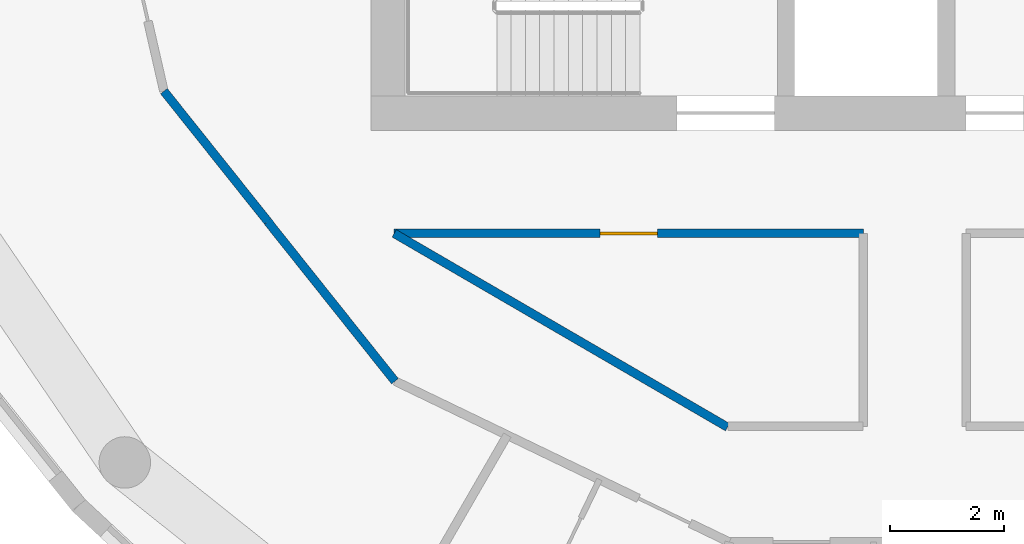
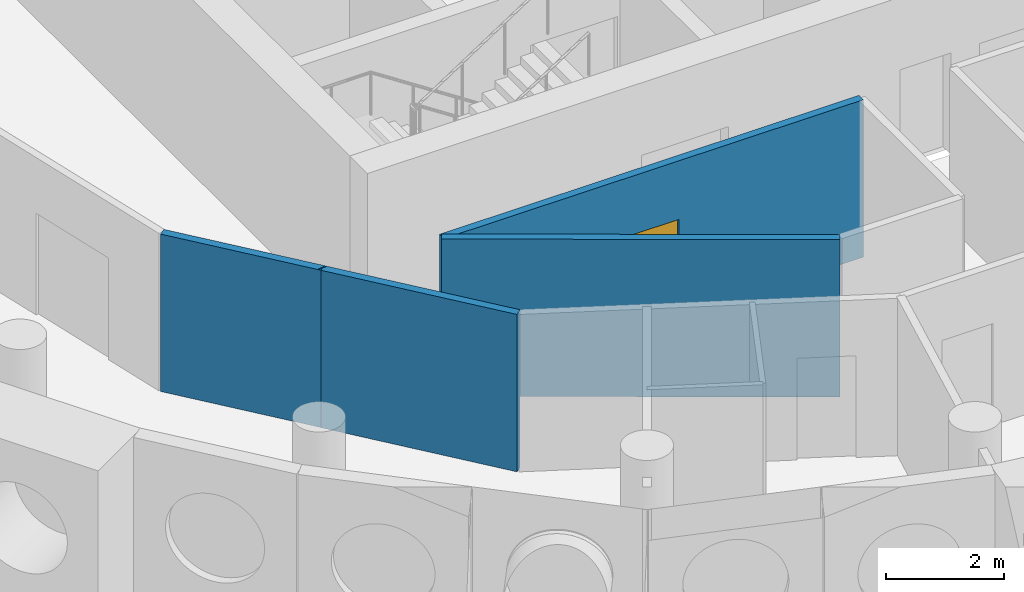
# One storey, part 3 of 13: 5 walls, 1 door, 1 opening.
"""IFC4 building model written with IfcOpenShell, lengths in metres."""

import ifcopenshell
import ifcopenshell.guid

model = None  # the IFC model being written
_history = None  # IfcOwnerHistory: only IFC2X3 demands one
_inside = {}  # id of a spatial element -> (the spatial element, [elements in it])
_under = {}  # id of a project, library or spatial element -> (it, [spatial elements below it])
_declared = {}  # id of a project -> (the project, [libraries it declares])
_typed = {}  # id of a type object -> (the type object, [elements of that type])
_made_of = {}  # id of a material, layer set ... -> (it, [elements and type objects made of it])


def new_model(schema):
    """Start an empty IFC model of exactly this schema.

    Asked for "IFC4X3", IfcOpenShell would pick the latest addendum, in which some entities
    have other attributes; the version numbers below select the first issue.
    IFC2X3 requires an IfcOwnerHistory on every rooted entity: one is made here for all.
    """
    global model, _history
    if schema == "IFC4X3":
        model = ifcopenshell.file(schema_version=(4, 3, 0, 0))
    else:
        model = ifcopenshell.file(schema=schema)
    _inside.clear()
    _under.clear()
    _declared.clear()
    _typed.clear()
    _made_of.clear()
    _history = None
    if model.schema == "IFC2X3":
        org = make("IfcOrganization", Name="unknown")
        user = make(
            "IfcPersonAndOrganization",
            ThePerson=make("IfcPerson", FamilyName="unknown"),
            TheOrganization=org,
        )
        app = make(
            "IfcApplication",
            ApplicationDeveloper=org,
            Version="unknown",
            ApplicationFullName="unknown",
            ApplicationIdentifier="unknown",
        )
        _history = make(
            "IfcOwnerHistory",
            OwningUser=user,
            OwningApplication=app,
            ChangeAction="ADDED",
            CreationDate=0,
        )
    return model


def make(cls, **values):
    """One entity of the class cls with the attributes given. An attribute that is None is left unset."""
    return model.create_entity(
        cls, **{name: value for name, value in values.items() if value is not None}
    )


def rooted(cls, **values):
    """An entity with a GlobalId (a new one), such as an element, a storey or a relation."""
    return make(cls, GlobalId=ifcopenshell.guid.new(), OwnerHistory=_history, **values)


def si_unit(unit_type, name, prefix=None):
    """IfcSIUnit, for example si_unit("LENGTHUNIT", "METRE", prefix="MILLI")."""
    return make("IfcSIUnit", UnitType=unit_type, Prefix=prefix, Name=name)


def assignment(units):
    """IfcUnitAssignment: the units of a project."""
    return None if units is None else make("IfcUnitAssignment", Units=units)


def point(xyz):
    """IfcCartesianPoint."""
    return None if xyz is None else make("IfcCartesianPoint", Coordinates=xyz)


def direction(xyz):
    """IfcDirection."""
    return None if xyz is None else make("IfcDirection", DirectionRatios=xyz)


def frame(location, z_axis=None, x_axis=None):
    """IfcAxis2Placement3D, a coordinate frame: its origin and axes. An axis left out is left unset."""
    return make(
        "IfcAxis2Placement3D",
        Location=point(location),
        Axis=direction(z_axis),
        RefDirection=direction(x_axis),
    )


def frame_2d(location, x_axis=None):
    """IfcAxis2Placement2D, a coordinate frame in the plane: its origin and x axis."""
    return make(
        "IfcAxis2Placement2D", Location=point(location), RefDirection=direction(x_axis)
    )


def origin():
    """The frame at (0, 0, 0) with its axes left unset."""
    return frame((0.0, 0.0, 0.0))


def place(relative_to, where):
    """IfcLocalPlacement: puts the frame where relative to a parent placement (None: the world)."""
    return make(
        "IfcLocalPlacement", PlacementRelTo=relative_to, RelativePlacement=where
    )


def context(
    kind, dimensions, precision=None, world=None, true_north=None, identifier=None
):
    """IfcGeometricRepresentationContext, for example the 3D "Model" context."""
    return make(
        "IfcGeometricRepresentationContext",
        ContextIdentifier=identifier,
        ContextType=kind,
        CoordinateSpaceDimension=dimensions,
        Precision=precision,
        WorldCoordinateSystem=world,
        TrueNorth=true_north,
    )


def subcontext(parent, identifier, kind, view, scale=None):
    """IfcGeometricRepresentationSubContext, for example "Body" below "Model"."""
    return make(
        "IfcGeometricRepresentationSubContext",
        ContextIdentifier=identifier,
        ContextType=kind,
        ParentContext=parent,
        TargetScale=scale,
        TargetView=view,
    )


def project(units=None, contexts=None):
    """IfcProject with its units and contexts."""
    return rooted(
        "IfcProject",
        Name="project",
        RepresentationContexts=contexts,
        UnitsInContext=assignment(units),
    )


def spatial(cls, under=None, at=None, **own):
    """A site, building, storey or space (cls), placed at a placement, below another one or the project."""
    s = rooted(cls, ObjectPlacement=at, **own)
    if under is not None:
        _under.setdefault(under.id(), (under, []))[1].append(s)
    return s


def profile(cls, at=None, kind="AREA", **sizes):
    """A parametric profile (cls). Its sizes go by their IFC names, for example OverallWidth=200.0."""
    return make(cls, ProfileType=kind, Position=at, **sizes)


def rectangle(**sizes):
    """IfcRectangleProfileDef."""
    return profile("IfcRectangleProfileDef", **sizes)


def extrude(swept, where, along, depth):
    """IfcExtrudedAreaSolid: the profile swept, set in the frame where, extruded along a direction by depth."""
    return make(
        "IfcExtrudedAreaSolid",
        SweptArea=swept,
        Position=where,
        ExtrudedDirection=direction(along),
        Depth=depth,
    )


def shape(context_of_items, identifier, shape_type, items):
    """IfcShapeRepresentation: the items that make up one representation, for example the "Body"."""
    return make(
        "IfcShapeRepresentation",
        ContextOfItems=context_of_items,
        RepresentationIdentifier=identifier,
        RepresentationType=shape_type,
        Items=items,
    )


def material(Name=None, Category=None):
    """IfcMaterial."""
    return make("IfcMaterial", Name=Name, Category=Category)


def layer(
    of_material, thickness, ventilated=None, Name=None, Category=None, Priority=None
):
    """IfcMaterialLayer: one layer of a wall or slab, of a material (None: an air gap)."""
    return make(
        "IfcMaterialLayer",
        Material=of_material,
        LayerThickness=thickness,
        IsVentilated=ventilated,
        Name=Name,
        Category=Category,
        Priority=Priority,
    )


def layer_set(layers, Name=None):
    """IfcMaterialLayerSet."""
    return make("IfcMaterialLayerSet", MaterialLayers=layers, LayerSetName=Name)


def made_of(thing, what):
    """Note that an element or type object is made of a material, layer set ...; save() writes the relation."""
    if what is not None:
        _made_of.setdefault(what.id(), (what, []))[1].append(thing)
    return thing


def type_object(cls, material=None, **own):
    """A type object (cls), such as IfcWallType, which elements share."""
    return made_of(rooted(cls, **own), material)


def element(
    cls,
    number,
    at=None,
    inside=None,
    cuts=None,
    type_object=None,
    material=None,
    context=None,
    identifier="Body",
    shape_type=None,
    held_by="IfcProductDefinitionShape",
    body=None,
    shapes=None,
    **own,
):
    """One element of the class cls, such as IfcWall. Its Tag is "e" and its number.

    at: its placement. inside: the storey or other place that contains it. cuts: it is an
    opening in that element (IfcRelVoidsElement). A single representation is given by context,
    identifier, shape_type and body (its items); several are given by shapes. held_by: the class
    of the entity that holds the representations. save() writes the other relations.
    """
    e = rooted(cls, Tag="e%d" % number, ObjectPlacement=at, **own)
    if body is not None:
        shapes = [shape(context, identifier, shape_type, body)]
    if shapes is not None:
        e.Representation = make(held_by, Representations=shapes)
    if inside is not None:
        _inside.setdefault(inside.id(), (inside, []))[1].append(e)
    if cuts is not None:
        rooted(
            "IfcRelVoidsElement", RelatingBuildingElement=cuts, RelatedOpeningElement=e
        )
    if type_object is not None:
        _typed.setdefault(type_object.id(), (type_object, []))[1].append(e)
    return made_of(e, material)


def fill(opening, filler):
    """IfcRelFillsElement: the door or window that sits in an opening."""
    return rooted(
        "IfcRelFillsElement",
        RelatingOpeningElement=opening,
        RelatedBuildingElement=filler,
    )


def aggregate(whole, parts):
    """IfcRelAggregates: a whole, such as a stair, and the parts it consists of."""
    return rooted("IfcRelAggregates", RelatingObject=whole, RelatedObjects=parts)


def save(model, path):
    """Write the relations noted so far, then the file.

    IfcRelAggregates (storeys below a building ...), IfcRelContainedInSpatialStructure (elements
    in a storey), IfcRelDefinesByType, IfcRelAssociatesMaterial and IfcRelDeclares: one each for
    every whole, place, type object, material and project.
    """
    for whole, parts in _under.values():
        aggregate(whole, parts)
    for where, things in _inside.values():
        rooted(
            "IfcRelContainedInSpatialStructure",
            RelatedElements=things,
            RelatingStructure=where,
        )
    for kind, things in _typed.values():
        rooted("IfcRelDefinesByType", RelatedObjects=things, RelatingType=kind)
    for what, things in _made_of.values():
        rooted("IfcRelAssociatesMaterial", RelatedObjects=things, RelatingMaterial=what)
    for by, libraries in _declared.values():
        rooted("IfcRelDeclares", RelatingContext=by, RelatedDefinitions=libraries)
    model.write(path)


model = new_model("IFC4")

# Units and contexts
model_context = context("Model", 3, precision=1e-05, world=origin(), true_north=direction((0.0, 1.0)))
body_context = subcontext(model_context, "Body", "Model", "MODEL_VIEW")
ifc_project = project(units=[si_unit("LENGTHUNIT", "METRE"), si_unit("AREAUNIT", "SQUARE_METRE"), si_unit("VOLUMEUNIT", "CUBIC_METRE"), si_unit("PLANEANGLEUNIT", "RADIAN"), si_unit("MASSUNIT", "GRAM", prefix="KILO")], contexts=[model_context])

# Site, building, storey
site_placement = place(None, origin())
site = spatial("IfcSite", under=ifc_project, at=site_placement, CompositionType="ELEMENT")
building_placement = place(site_placement, origin())
building = spatial("IfcBuilding", under=site, at=building_placement, Name="Tracery Tower", CompositionType="ELEMENT")
storey_placement = place(building_placement, frame((0.0, 0.0, 316.199951171875)))
storey = spatial("IfcBuildingStorey", under=building, at=storey_placement, Name="L82", CompositionType="ELEMENT", Elevation=316.199951171875)

# Wall, opening, door
ifc_material_1 = material(Name="Plasterboard on steel studs", Category="steel")
ifc_layer = layer(ifc_material_1, 0.14990234375)
ifc_layer_set = layer_set([ifc_layer], Name="Partition 150 corridor wall")
wall_type = type_object("IfcWallType", Name="Partition 150 corridor wall", PredefinedType="PARTITIONING", material=ifc_layer_set)
wall_1_placement = place(storey_placement, frame((-9.092041015625, -8.800048828125, 0.0), z_axis=(0.0, 0.0, 1.0), x_axis=(1.0, 0.0, 0.0)))
wall_1 = element("IfcWall", 1, at=wall_1_placement, inside=storey, type_object=wall_type, Name="Corridor wall RC9-010", PredefinedType="PARTITIONING", context=body_context, shape_type="SweptSolid", body=[
    extrude(rectangle(XDim=8.196044921875, YDim=0.14990234375, at=frame_2d((4.09814453125, 0.0))), origin(), (0.0, 0.0, 1.0), 3.25),
])
opening_placement = place(wall_1_placement, frame((3.597900390625, 0.0, 0.0)))
opening = element("IfcOpeningElement", 2, at=opening_placement, cuts=wall_1, Name="Opening RC9-02", PredefinedType="OPENING", context=body_context, shape_type="SweptSolid", body=[
    extrude(rectangle(XDim=1.0, YDim=2.0400390625, at=frame_2d((0.5, 1.02001953125))), frame((0.0, 0.074951171875, 0.0), z_axis=(0.0, -1.0, 0.0), x_axis=(1.0, 0.0, 0.0)), (0.0, 0.0, 1.0), 0.14990234375),
])
ifc_material_2 = material(Name="Timber door leaf", Category="wood")
door_type = type_object("IfcDoorType", Name="Door communal room 1000", OperationType="NOTDEFINED", PredefinedType="DOOR", material=ifc_material_2)
door_placement = place(opening_placement, origin())
door = element("IfcDoor", 3, at=door_placement, inside=storey, type_object=door_type, Name="Communal room door RC9-02", OperationType="SINGLE_SWING_RIGHT", OverallHeight=2.0400390625, OverallWidth=1.0, PredefinedType="DOOR", context=body_context, shape_type="SweptSolid", body=[
    extrude(rectangle(XDim=1.0, YDim=2.0400390625, at=frame_2d((0.5, 1.02001953125))), frame((0.0, 0.02490234375, 0.0), z_axis=(0.0, -1.0, 0.0), x_axis=(1.0, 0.0, 0.0)), (0.0, 0.0, 1.0), 0.050048828125),
])
fill(opening, door)

# Walls
wall_2_placement = place(storey_placement, frame((-9.092041015625, -8.800048828125, 0.0), z_axis=(0.0, 0.0, 1.0), x_axis=(0.864470922103, -0.502682827277, 0.0)))
element("IfcWall", 4, at=wall_2_placement, inside=storey, type_object=wall_type, Name="Corridor wall RC9-011", PredefinedType="PARTITIONING", context=body_context, shape_type="SweptSolid", body=[
    extrude(rectangle(XDim=6.7353515625, YDim=0.14990234375, at=frame_2d((3.36767578125, 0.0))), origin(), (0.0, 0.0, 1.0), 3.25),
])
wall_3_placement = place(storey_placement, frame((-11.300048828125, -8.59619140625, 0.0), z_axis=(0.0, 0.0, 1.0), x_axis=(0.623165080354, -0.782090328944, 0.0)))
element("IfcWall", 5, at=wall_3_placement, inside=storey, type_object=wall_type, Name="Corridor wall RC9-014", PredefinedType="PARTITIONING", context=body_context, shape_type="SweptSolid", body=[
    extrude(rectangle(XDim=3.56396484375, YDim=0.14990234375, at=frame_2d((1.781982421875, 0.0))), origin(), (0.0, 0.0, 1.0), 3.25),
])
wall_4_placement = place(storey_placement, frame((-11.300048828125, -8.59619140625, 0.0), z_axis=(0.0, 0.0, 1.0), x_axis=(0.0, 1.0, 0.0)))
element("IfcWall", 6, at=wall_4_placement, inside=storey, type_object=wall_type, Name="Corridor wall RC9-016", PredefinedType="PARTITIONING", context=body_context, shape_type="SweptSolid", body=[
    extrude(rectangle(XDim=0.01123046875, YDim=0.14990234375, at=frame_2d((0.005615234375, 0.0))), origin(), (0.0, 0.0, 1.0), 3.25),
])
wall_5_placement = place(storey_placement, frame((-13.114990234375, -6.31591796875, 0.0), z_axis=(0.0, 0.0, 1.0), x_axis=(0.623446514299, -0.781866001185, 0.0)))
element("IfcWall", 7, at=wall_5_placement, inside=storey, type_object=wall_type, Name="Corridor wall RC9-033", PredefinedType="PARTITIONING", context=body_context, shape_type="SweptSolid", body=[
    extrude(rectangle(XDim=2.9111328125, YDim=0.14990234375, at=frame_2d((1.45556640625, 0.0))), origin(), (0.0, 0.0, 1.0), 3.25),
])

save(model, "model.ifc")
